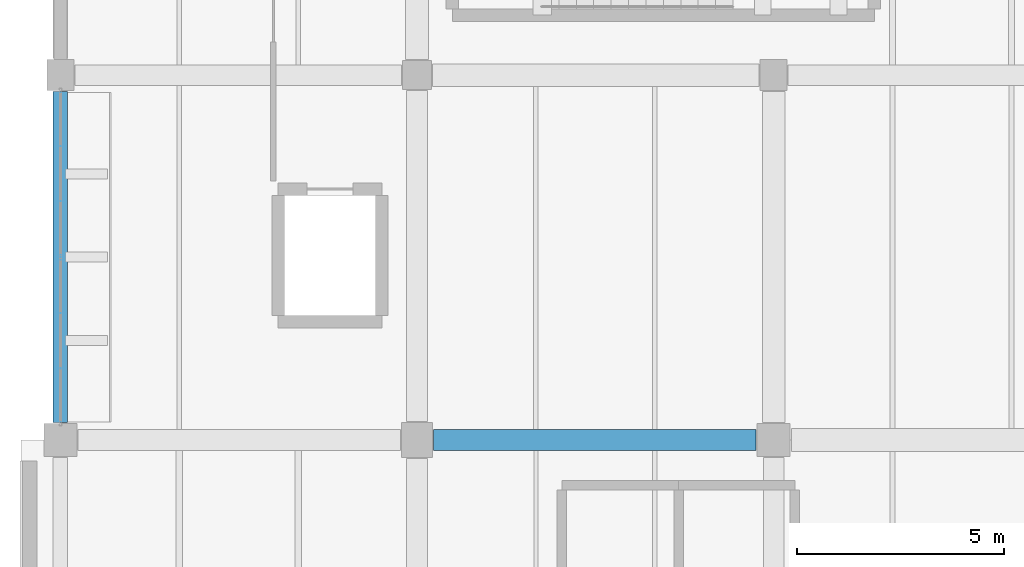
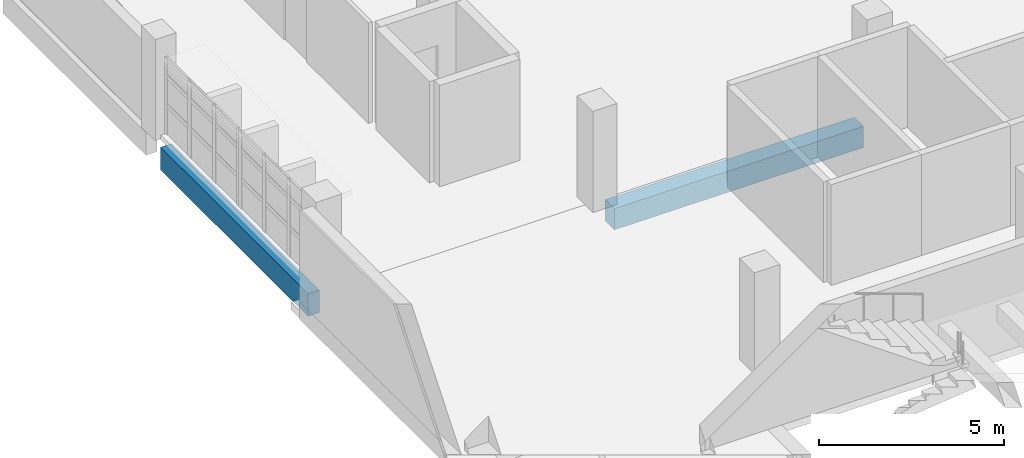
# One storey, part 11 of 75: 2 beams.
"""IFC4 building model written with IfcOpenShell, lengths in metres."""

from ifc_helpers import new_model, si_unit, direction, frame, origin, origin_2d, place, context, subcontext, project, spatial, rectangle, extrude, material, material_profile, profile_set, type_object, element, save


model = new_model("IFC4")

# Units and contexts
model_context = context("Model", 3, precision=1e-05, world=origin(), true_north=direction((0.0, 1.0)))
body_context = subcontext(model_context, "Body", "Model", "MODEL_VIEW")
ifc_project = project(units=[si_unit("LENGTHUNIT", "METRE"), si_unit("AREAUNIT", "SQUARE_METRE"), si_unit("VOLUMEUNIT", "CUBIC_METRE"), si_unit("PLANEANGLEUNIT", "RADIAN"), si_unit("MASSUNIT", "GRAM", prefix="KILO")], contexts=[model_context])

# Site, building, storey
site_placement = place(None, origin())
site = spatial("IfcSite", under=ifc_project, at=site_placement, CompositionType="ELEMENT")
building_placement = place(site_placement, origin())
building = spatial("IfcBuilding", under=site, at=building_placement, Name="Varnakota Cinema and Media Centre", CompositionType="ELEMENT")
storey_placement = place(building_placement, frame((0.0, 0.0, 8.39990234375)))
storey = spatial("IfcBuildingStorey", under=building, at=storey_placement, Name="L02", CompositionType="ELEMENT", Elevation=8.39990234375)

# Beams
ifc_material_1 = material(Name="Concrete M35", Category="concrete")
ifc_material_profile_1 = material_profile(ifc_material_1, rectangle(XDim=0.5, YDim=0.699951171875, at=origin_2d()), Name="RCB 500x700")
ifc_profile_set_1 = profile_set([ifc_material_profile_1], Name="Concrete M35")
beam_type_1 = type_object("IfcBeamType", Name="BM-RC-500x700", PredefinedType="BEAM", material=ifc_profile_set_1)
beam_1_placement = place(storey_placement, frame((9.0, 35.199951171875, -0.599853515625), z_axis=(1.0, 0.0, 0.0), x_axis=(0.0, 1.0, 0.0)))
element("IfcBeam", 1, at=beam_1_placement, inside=storey, type_object=beam_type_1, Name="L02 girder B-C/5", PredefinedType="BEAM", context=body_context, shape_type="SweptSolid", body=[
    extrude(rectangle(XDim=0.5, YDim=0.699951171875, at=origin_2d()), origin(), (0.0, 0.0, 1.0), 7.77490234375),
])
ifc_material_2 = material(Name="Concrete M40", Category="concrete")
ifc_material_profile_2 = material_profile(ifc_material_2, rectangle(XDim=0.35009765625, YDim=0.75, at=origin_2d()), Name="RCB 350x750")
ifc_profile_set_2 = profile_set([ifc_material_profile_2], Name="Concrete M40")
beam_type_2 = type_object("IfcBeamType", Name="BM-SP-350x750", PredefinedType="SPANDREL", material=ifc_profile_set_2)
beam_2_placement = place(storey_placement, frame((0.0, 35.625, -0.625), z_axis=(0.0, 1.0, 0.0), x_axis=(-1.0, 0.0, 0.0)))
element("IfcBeam", 2, at=beam_2_placement, inside=storey, type_object=beam_type_2, Name="L02 girder A/5-6", PredefinedType="SPANDREL", context=body_context, shape_type="SweptSolid", body=[
    extrude(rectangle(XDim=0.35009765625, YDim=0.75, at=origin_2d()), origin(), (0.0, 0.0, 1.0), 7.97509765625),
])

save(model, "model.ifc")
